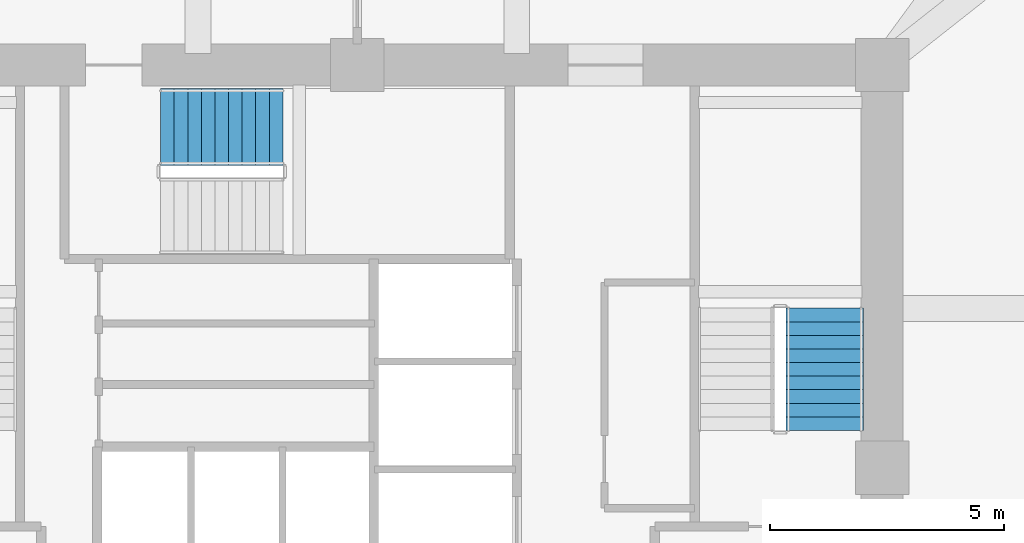
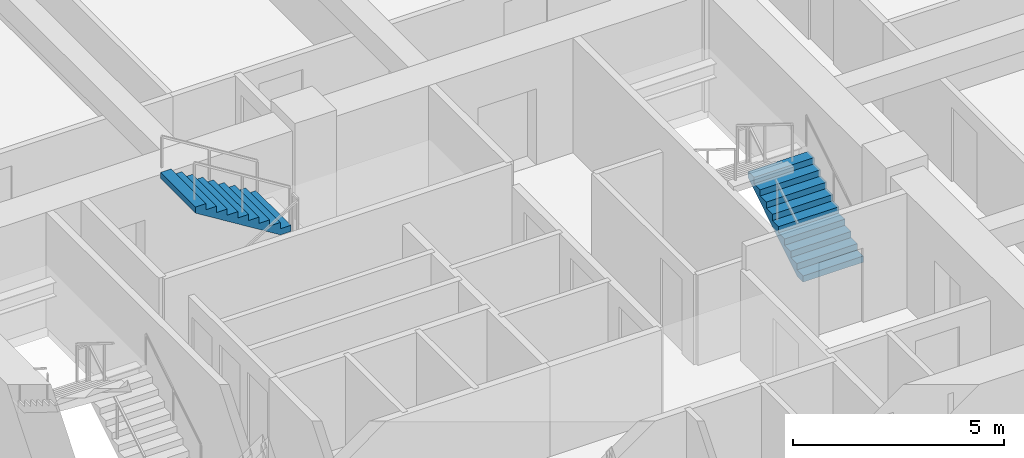
# One storey, part 12 of 14: 2 stair flights, 2 elements without a shape of their own.
"""IFC4 building model written with IfcOpenShell, lengths in metres."""

from ifc_helpers import new_model, si_unit, derived_unit, direction, frame, origin, place, context, subcontext, project, spatial, polyline, outline, extrude, material, type_object, element, aggregate, save


model = new_model("IFC4")

# Units and contexts
model_context = context("Model", 3, precision=1e-05, world=origin(), true_north=direction((0.0, 1.0)))
body_context = subcontext(model_context, "Body", "Model", "MODEL_VIEW")
ifc_project = project(units=[si_unit("LENGTHUNIT", "METRE"), si_unit("AREAUNIT", "SQUARE_METRE"), si_unit("VOLUMEUNIT", "CUBIC_METRE"), si_unit("PLANEANGLEUNIT", "RADIAN"), si_unit("MASSUNIT", "GRAM", prefix="KILO"), derived_unit("THERMALTRANSMITTANCEUNIT", [(si_unit("POWERUNIT", "WATT"), 1), (si_unit("LENGTHUNIT", "METRE"), -2), (si_unit("THERMODYNAMICTEMPERATUREUNIT", "KELVIN"), -1)])], contexts=[model_context])

# Site, building, storey
site_placement = place(None, origin())
site = spatial("IfcSite", under=ifc_project, at=site_placement, CompositionType="ELEMENT")
building_placement = place(site_placement, origin())
building = spatial("IfcBuilding", under=site, at=building_placement, Name="Koralith Skygarden Medical Center", CompositionType="ELEMENT")
storey_placement = place(building_placement, frame((0.0, 0.0, 45.5400390625)))
storey = spatial("IfcBuildingStorey", under=building, at=storey_placement, Name="L11", CompositionType="ELEMENT", Elevation=45.5400390625)

# Stair, stair flight
ifc_material = material(Name="Concrete C45/55", Category="concrete")
stair_type = type_object("IfcStairType", Name="Core Exit Dogleg Concrete Stair", PredefinedType="HALF_TURN_STAIR", material=ifc_material)
stair_1_placement = place(storey_placement, origin())
stair_1 = element("IfcStair", 1, at=stair_1_placement, inside=storey, type_object=stair_type, Name="L11 Smokeproof Exit Stair ST2", PredefinedType="HALF_TURN_STAIR")
stair_flight_type = type_object("IfcStairFlightType", Name="Core Exit Concrete Stair Flight 1650", PredefinedType="STRAIGHT", material=ifc_material)
stair_flight_1_placement = place(storey_placement, frame((46.97509765625, 26.699951171875, 0.0), z_axis=(0.0, 0.0, 1.0), x_axis=(0.0, 1.0, 0.0)))
stair_flight_1 = element("IfcStairFlight", 2, at=stair_flight_1_placement, type_object=stair_flight_type, Name="ST2 flight 1", NumberOfRisers=10, NumberOfTreads=9, PredefinedType="STRAIGHT", RiserHeight=0.18, TreadLength=0.29, context=body_context, shape_type="SweptSolid", body=[
    extrude(outline(polyline([(0.0, 0.0), (0.0, 0.179931640625), (0.2900390625, 0.179931640625), (0.2900390625, 0.360107421875), (0.580078125, 0.360107421875), (0.580078125, 0.5400390625), (0.8701171875, 0.5400390625), (0.8701171875, 0.719970703125), (1.159912109375, 0.719970703125), (1.159912109375, 0.89990234375), (1.449951171875, 0.89990234375), (1.449951171875, 1.080078125), (1.739990234375, 1.080078125), (1.739990234375, 1.260009765625), (2.030029296875, 1.260009765625), (2.030029296875, 1.43994140625), (2.320068359375, 1.43994140625), (2.320068359375, 1.6201171875), (2.610107421875, 1.6201171875), (2.610107421875, 1.800048828125), (2.610107421875, 1.443603515625), (0.2841796875, 0.0), (0.0, 0.0)])), frame((0.0, 0.824951171875, 0.0), z_axis=(0.0, -1.0, 0.0), x_axis=(1.0, 0.0, 0.0)), (0.0, 0.0, 1.0), 1.64990234375),
])
aggregate(stair_1, [stair_flight_1])

stair_2_placement = place(storey_placement, origin())
stair_2 = element("IfcStair", 3, at=stair_2_placement, inside=storey, type_object=stair_type, Name="L11 Smokeproof Exit Stair ST3", PredefinedType="HALF_TURN_STAIR")
stair_flight_2_placement = place(storey_placement, frame((35.409912109375, 33.175048828125, 1.800048828125), z_axis=(0.0, 0.0, 1.0), x_axis=(-1.0, 0.0, 0.0)))
stair_flight_2 = element("IfcStairFlight", 4, at=stair_flight_2_placement, type_object=stair_flight_type, Name="ST3 flight 2", NumberOfRisers=10, NumberOfTreads=9, PredefinedType="STRAIGHT", RiserHeight=0.18, TreadLength=0.29, context=body_context, shape_type="SweptSolid", body=[
    extrude(outline(polyline([(0.0, 0.0), (0.0, 0.179931640625), (0.2900390625, 0.179931640625), (0.2900390625, 0.360107421875), (0.580078125, 0.360107421875), (0.580078125, 0.5400390625), (0.8701171875, 0.5400390625), (0.8701171875, 0.719970703125), (1.159912109375, 0.719970703125), (1.159912109375, 0.89990234375), (1.449951171875, 0.89990234375), (1.449951171875, 1.080078125), (1.739990234375, 1.080078125), (1.739990234375, 1.260009765625), (2.030029296875, 1.260009765625), (2.030029296875, 1.43994140625), (2.320068359375, 1.43994140625), (2.320068359375, 1.6201171875), (2.610107421875, 1.6201171875), (2.610107421875, 1.800048828125), (2.610107421875, 1.443603515625), (0.2841796875, 0.0), (0.0, 0.0)])), frame((0.0, 0.824951171875, 0.0), z_axis=(0.0, -1.0, 0.0), x_axis=(1.0, 0.0, 0.0)), (0.0, 0.0, 1.0), 1.64990234375),
])
aggregate(stair_2, [stair_flight_2])

save(model, "model.ifc")
